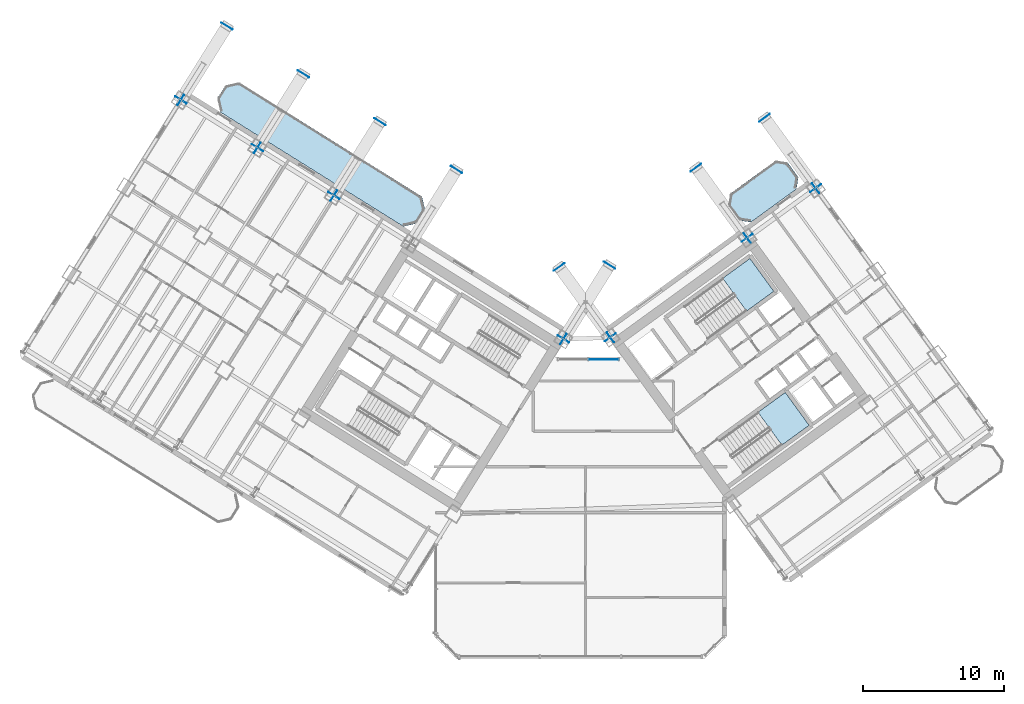
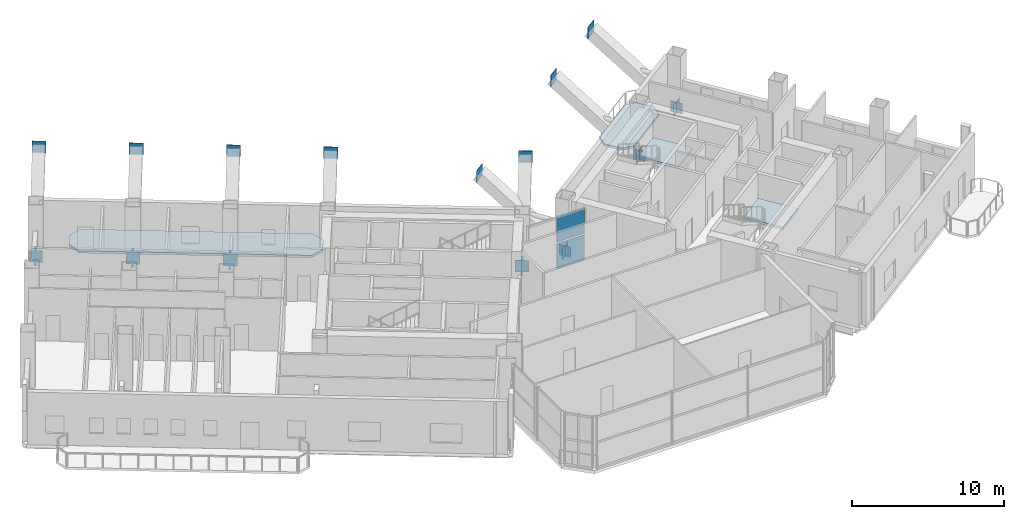
# One storey, part 15 of 30: 24 plates, 4 slabs, 3 elements without a shape of their own.
"""IFC4 building model written with IfcOpenShell, lengths in metres."""

from ifc_helpers import new_model, si_unit, direction, frame, origin, origin_2d, place, context, subcontext, project, spatial, polyline, rectangle, outline, extrude, source, transform, mapped, material, layer, layer_set, type_object, element, aggregate, save


model = new_model("IFC4")

# Units and contexts
model_context = context("Model", 3, precision=1e-05, world=origin(), true_north=direction((0.0, 1.0)))
body_context = subcontext(model_context, "Body", "Model", "MODEL_VIEW")
ifc_project = project(units=[si_unit("LENGTHUNIT", "METRE"), si_unit("AREAUNIT", "SQUARE_METRE"), si_unit("VOLUMEUNIT", "CUBIC_METRE"), si_unit("PLANEANGLEUNIT", "RADIAN"), si_unit("MASSUNIT", "GRAM", prefix="KILO")], contexts=[model_context])

# Site, building, storey
site_placement = place(None, origin())
site = spatial("IfcSite", under=ifc_project, at=site_placement, CompositionType="ELEMENT")
building_placement = place(site_placement, origin())
building = spatial("IfcBuilding", under=site, at=building_placement, Name="Tlacorven Tower", CompositionType="ELEMENT")
storey_placement = place(building_placement, frame((0.0, 0.0, 67.199951171875)))
storey = spatial("IfcBuildingStorey", under=building, at=storey_placement, Name="L17", CompositionType="ELEMENT", Elevation=67.199951171875)

# Slabs
ifc_material_1 = material(Name="Precast concrete C45/55", Category="concrete")
ifc_layer_1 = layer(ifc_material_1, 0.179931640625)
ifc_layer_set_1 = layer_set([ifc_layer_1], Name="Precast concrete C45/55")
slab_type_1 = type_object("IfcSlabType", Name="SL-BAL-180", PredefinedType="USERDEFINED", material=ifc_layer_set_1)
slab_1_placement = place(storey_placement, frame((0.0, 0.0, -0.179931640625)))
element("IfcSlab", 1, at=slab_1_placement, inside=storey, type_object=slab_type_1, Name="L17 West Wing Balcony Ribbon IN", ObjectType="BALCONY SLAB", PredefinedType="USERDEFINED", context=body_context, shape_type="SweptSolid", body=[
    extrude(outline(polyline([(30.756591796875, 34.57763671875), (17.781494140625, 42.685546875), (16.81689453125, 42.462890625), (16.236572265625, 41.5341796875), (16.459228515625, 40.569580078125), (29.434326171875, 32.4619140625), (30.39892578125, 32.6845703125), (30.979248046875, 33.613037109375), (30.756591796875, 34.57763671875)])), origin(), (0.0, 0.0, 1.0), 0.179931640625),
])
slab_2_placement = place(storey_placement, frame((0.0, 0.0, -0.179931640625)))
element("IfcSlab", 2, at=slab_2_placement, inside=storey, type_object=slab_type_1, Name="L17 East Wing Balcony Ribbon IN", ObjectType="BALCONY SLAB", PredefinedType="USERDEFINED", context=body_context, shape_type="SweptSolid", body=[
    extrude(outline(polyline([(54.078125, 32.762939453125), (57.314208984375, 35.114013671875), (57.44677734375, 35.9521484375), (56.685791015625, 36.999755859375), (55.84765625, 37.132568359375), (52.611572265625, 34.78125), (52.478759765625, 33.943359375), (53.239990234375, 32.8955078125), (54.078125, 32.762939453125)])), origin(), (0.0, 0.0, 1.0), 0.179931640625),
])

# Stair, slab
ifc_material_2 = material(Name="Concrete C40/50", Category="concrete")
stair_type = type_object("IfcStairType", Name="ST-CORE-DLG", PredefinedType="HALF_TURN_STAIR", material=ifc_material_2)
stair_1_placement = place(storey_placement, origin())
stair_1 = element("IfcStair", 3, at=stair_1_placement, inside=storey, type_object=stair_type, Name="L17 Protected Exit Stair East 1", PredefinedType="HALF_TURN_STAIR")
ifc_layer_2 = layer(ifc_material_2, 0.199951171875)
ifc_layer_set_2 = layer_set([ifc_layer_2], Name="Concrete C40/50")
slab_type_2 = type_object("IfcSlabType", Name="SL-LND-200", PredefinedType="LANDING", material=ifc_layer_set_2)
slab_3_placement = place(storey_placement, frame((0.0, 0.0, 2.050048828125)))
slab_3 = element("IfcSlab", 4, at=slab_3_placement, type_object=slab_type_2, Name="ST-E1 landing 1", PredefinedType="LANDING", context=body_context, shape_type="SweptSolid", body=[
    extrude(outline(polyline([(53.77734375, 26.456787109375), (55.7109375, 27.861572265625), (54.01806640625, 30.19140625), (52.08447265625, 28.78662109375), (53.77734375, 26.456787109375)])), origin(), (0.0, 0.0, 1.0), 0.199951171875),
])
aggregate(stair_1, [slab_3])

stair_2_placement = place(storey_placement, origin())
stair_2 = element("IfcStair", 5, at=stair_2_placement, inside=storey, type_object=stair_type, Name="L17 Protected Exit Stair East 2", PredefinedType="HALF_TURN_STAIR")
slab_4_placement = place(storey_placement, frame((0.0, 0.0, 2.050048828125)))
slab_4 = element("IfcSlab", 6, at=slab_4_placement, type_object=slab_type_2, Name="ST-E2 landing 1", PredefinedType="LANDING", context=body_context, shape_type="SweptSolid", body=[
    extrude(outline(polyline([(56.28125, 16.95361328125), (58.21484375, 18.3583984375), (56.52197265625, 20.6884765625), (54.58837890625, 19.283447265625), (56.28125, 16.95361328125)])), origin(), (0.0, 0.0, 1.0), 0.199951171875),
])
aggregate(stair_2, [slab_4])

# Plates
ifc_material_3 = material(Name="Steel S460M", Category="steel")
ifc_layer_3 = layer(ifc_material_3, 0.02392578125)
ifc_layer_set_3 = layer_set([ifc_layer_3], Name="Steel S460M")
plate_type_1 = type_object("IfcPlateType", Name="PL-CAP-END1", PredefinedType="USERDEFINED", material=ifc_layer_set_3)
shared_shape_1 = source(origin(), body_context, "Body", "SweptSolid", [
    extrude(rectangle(XDim=0.02392578125, YDim=0.929931640625, at=origin_2d()), origin(), (0.0, 0.0, 1.0), 0.929931640625),
])
for number, where, z_axis, x_axis, name in (
    (7, (40.79150390625, 24.482177734375, -0.453125), (0.0, 0.0, 1.0), (0.529919363061, 0.848048034402, 0.0), "L17 hollow end cap plate RAK-L17-W1 1"),
    (8, (44.059814453125, 29.712646484375, 4.0234375), (0.0, 0.0, 1.0), (0.529919363061, 0.848048034402, 0.0), "L17 hollow end cap plate RAK-L17-W1 2"),
    (9, (33.204833984375, 36.49560546875, 4.0234375), (0.0, 0.0, 1.0), (0.529919406799, 0.848048007072, 0.0), "L17 hollow end cap plate RAK-L17-W3 2"),
    (10, (24.509033203125, 34.656494140625, -0.453125), (0.0, 0.0, 1.0), (0.529919479665, 0.84804796154, 0.0), "L17 hollow end cap plate RAK-L17-W4 1"),
    (11, (27.77734375, 39.886962890625, 4.0234375), (0.0, 0.0, 1.0), (0.529919479665, 0.84804796154, 0.0), "L17 hollow end cap plate RAK-L17-W4 2"),
    (12, (19.08154296875, 38.048095703125, -0.453125), (0.0, 0.0, 1.0), (0.529919363061, 0.848048034402, 0.0), "L17 hollow end cap plate RAK-L17-W5 1"),
    (13, (22.349853515625, 43.278564453125, 4.0234375), (0.0, 0.0, 1.0), (0.529919363061, 0.848048034402, 0.0), "L17 hollow end cap plate RAK-L17-W5 2"),
    (14, (13.654052734375, 41.439453125, -0.453125), (0.0, 0.0, 1.0), (0.529919363061, 0.848048034402, 0.0), "L17 hollow end cap plate RAK-L17-W6 1"),
    (15, (16.92236328125, 46.669921875, 4.0234375), (0.0, 0.0, 1.0), (0.529919363061, 0.848048034402, 0.0), "L17 hollow end cap plate RAK-L17-W6 2"),
    (16, (44.1142578125, 24.59814453125, -0.453125), (0.0, 0.0, 1.0), (-0.587785342477, 0.809016928852, 0.0), "L17 hollow end cap plate RAK-L17-E1 1"),
    (17, (40.489013671875, 29.587890625, 4.0234375), (0.0, 0.0, 1.0), (-0.587785342477, 0.809016928852, 0.0), "L17 hollow end cap plate RAK-L17-E1 2"),
    (18, (53.822509765625, 31.651611328125, -0.453125), (0.0, 0.0, 1.0), (-0.587785342477, 0.809016928852, 0.0), "L17 hollow end cap plate RAK-L17-E3 1"),
    (19, (50.197265625, 36.641357421875, 4.0234375), (0.0, 0.0, 1.0), (-0.587785342477, 0.809016928852, 0.0), "L17 hollow end cap plate RAK-L17-E3 2"),
    (20, (58.676513671875, 35.17822265625, -0.453125), (0.0, 0.0, 1.0), (-0.587785159256, 0.80901706197, 0.0), "L17 hollow end cap plate RAK-L17-E4 1"),
    (21, (55.05126953125, 40.16796875, 4.0234375), (0.0, 0.0, 1.0), (-0.587785159256, 0.80901706197, 0.0), "L17 hollow end cap plate RAK-L17-E4 2"),
):
    element("IfcPlate", number, at=place(storey_placement, frame(where, z_axis=z_axis, x_axis=x_axis)), inside=storey, type_object=plate_type_1, Name=name, ObjectType="END PLATE", PredefinedType="USERDEFINED", context=body_context, shape_type="MappedRepresentation", body=[
        mapped(shared_shape_1, transform((0.0, 0.0, 0.0), scale=1.0)),
    ])
ifc_layer_4 = layer(ifc_material_3, 0.031982421875)
ifc_layer_set_4 = layer_set([ifc_layer_4], Name="Steel S460M")
plate_type_2 = type_object("IfcPlateType", Name="PL-NODE-KN1", PredefinedType="SHEET", material=ifc_layer_set_4)
shared_shape_2 = source(origin(), body_context, "Body", "SweptSolid", [
    extrude(rectangle(XDim=0.85009765625, YDim=0.031982421875, at=origin_2d()), origin(), (0.0, 0.0, 1.0), 0.85009765625),
])
for number, where, z_axis, x_axis, name in (
    (22, (40.787353515625, 24.475341796875, -0.419189453125), (0.0, 0.0, 1.0), (0.529919363061, 0.848048034402, 0.0), "L17 structural node gusset plate RAK-L17-W1"),
    (23, (24.504638671875, 34.649658203125, -0.419189453125), (0.0, 0.0, 1.0), (0.529919479665, 0.84804796154, 0.0), "L17 structural node gusset plate RAK-L17-W4"),
    (24, (19.0771484375, 38.041259765625, -0.419189453125), (0.0, 0.0, 1.0), (0.529919363061, 0.848048034402, 0.0), "L17 structural node gusset plate RAK-L17-W5"),
    (25, (13.649658203125, 41.4326171875, -0.419189453125), (0.0, 0.0, 1.0), (0.529919363061, 0.848048034402, 0.0), "L17 structural node gusset plate RAK-L17-W6"),
    (26, (44.118896484375, 24.591552734375, -0.419189453125), (0.0, 0.0, 1.0), (-0.587785342477, 0.809016928852, 0.0), "L17 structural node gusset plate RAK-L17-E1"),
    (27, (53.8271484375, 31.64501953125, -0.419189453125), (0.0, 0.0, 1.0), (-0.587785342477, 0.809016928852, 0.0), "L17 structural node gusset plate RAK-L17-E3"),
    (28, (58.681396484375, 35.171630859375, -0.419189453125), (0.0, 0.0, 1.0), (-0.587785159256, 0.80901706197, 0.0), "L17 structural node gusset plate RAK-L17-E4"),
):
    element("IfcPlate", number, at=place(storey_placement, frame(where, z_axis=z_axis, x_axis=x_axis)), inside=storey, type_object=plate_type_2, Name=name, PredefinedType="SHEET", context=body_context, shape_type="MappedRepresentation", body=[
        mapped(shared_shape_2, transform((0.0, 0.0, 0.0), scale=1.0)),
    ])

# Curtain wall, plates
ifc_material_4 = material(Name="Dark solar low-E double glazing in aluminium frame", Category="aluminium")
curtain_wall_type = type_object("IfcCurtainWallType", Name="CW-TWR-LOW", PredefinedType="USERDEFINED", material=ifc_material_4)
curtain_wall_placement = place(storey_placement, origin())
curtain_wall = element("IfcCurtainWall", 29, at=curtain_wall_placement, inside=storey, type_object=curtain_wall_type, Name="L17 CW-TWR-LOW Curtain Wall 98", ObjectType="UNITISED CURTAIN WALL", PredefinedType="USERDEFINED")
ifc_material_5 = material(Name="Dark solar double low-E glazing", Category="glass")
ifc_layer_5 = layer(ifc_material_5, 0.031982421875)
ifc_layer_set_5 = layer_set([ifc_layer_5], Name="Dark solar double low-E glazing")
plate_type_3 = type_object("IfcPlateType", Name="CWP-02", PredefinedType="CURTAIN_PANEL", material=ifc_layer_set_5)
shared_shape_3 = source(origin(), body_context, "Body", "SweptSolid", [
    extrude(rectangle(XDim=2.110595703125, YDim=0.031982421875, at=origin_2d()), origin(), (0.0, 0.0, 1.0), 1.988037109375),
])
plate_1_placement = place(storey_placement, frame((43.640625, 23.0400390625, 0.06103515625), z_axis=(0.0, 0.0, 1.0), x_axis=(1.0, 0.0, 0.0)))
plate_1 = element("IfcPlate", 30, at=plate_1_placement, type_object=plate_type_3, Name="CW-L17-098 Glazing Panel 3", PredefinedType="CURTAIN_PANEL", context=body_context, shape_type="MappedRepresentation", body=[
    mapped(shared_shape_3, transform((0.0, 0.0, 0.0), scale=1.0)),
])
plate_2_placement = place(storey_placement, frame((43.640625, 23.0400390625, 2.1708984375), z_axis=(0.0, 0.0, 1.0), x_axis=(1.0, 0.0, 0.0)))
plate_2 = element("IfcPlate", 31, at=plate_2_placement, type_object=plate_type_3, Name="CW-L17-098 Glazing Panel 4", PredefinedType="CURTAIN_PANEL", context=body_context, shape_type="MappedRepresentation", body=[
    mapped(shared_shape_3, transform((0.0, 0.0, 0.0), scale=1.0)),
])
aggregate(curtain_wall, [plate_1, plate_2])

save(model, "model.ifc")
